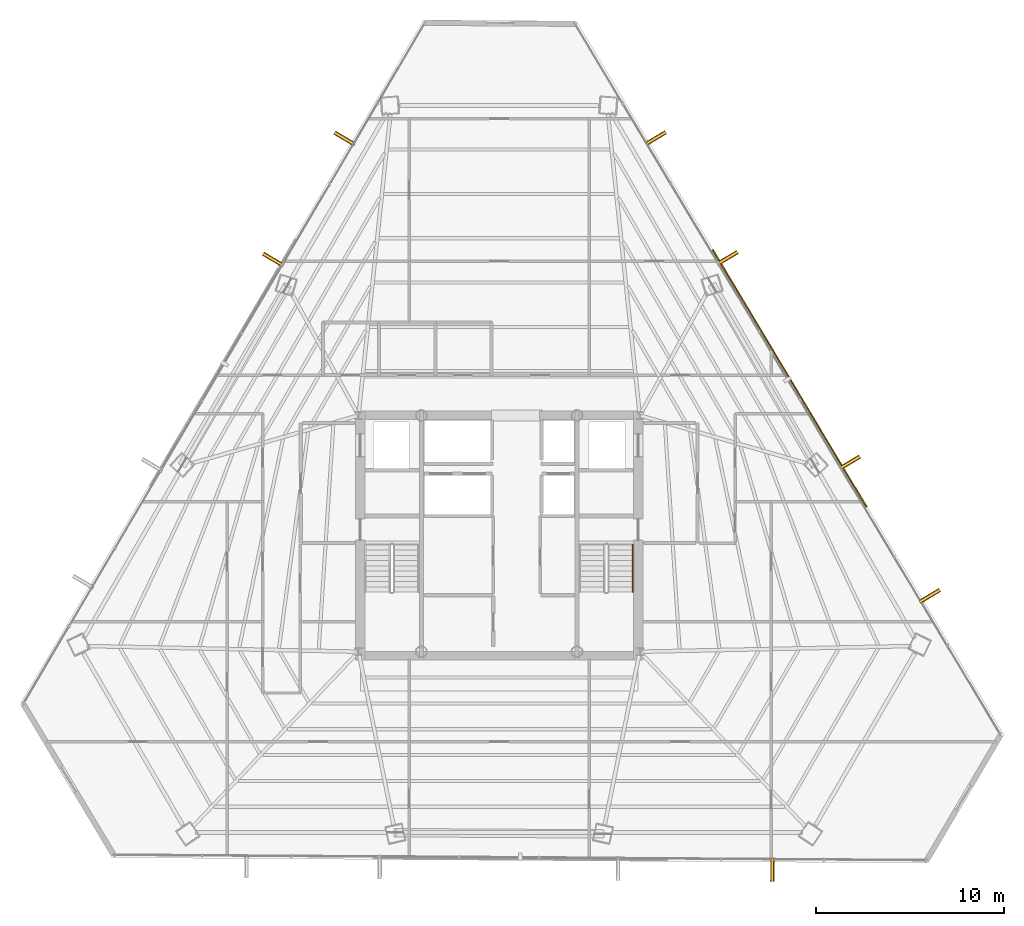
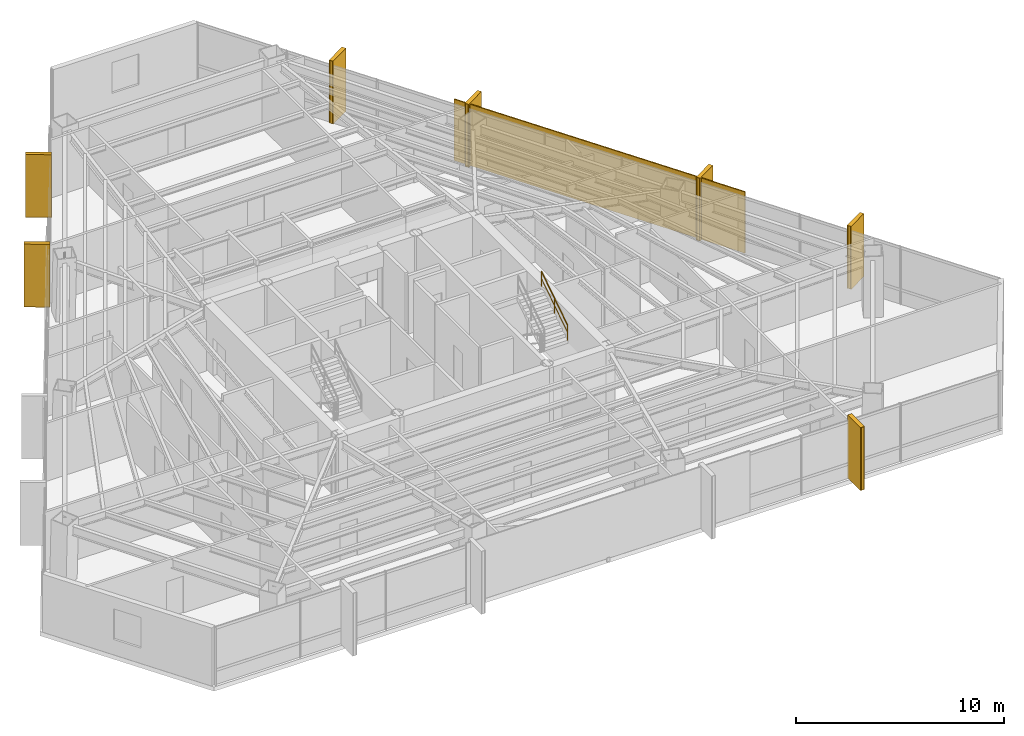
# One storey, part 41 of 41: 8 shading devices, 7 coverings, 1 railing.
"""IFC4 building model written with IfcOpenShell, lengths in metres."""

from ifc_helpers import new_model, si_unit, direction, frame, origin, origin_2d, place, context, subcontext, project, spatial, rectangle, extrude, source, transform, mapped, material, layer, layer_set, type_object, type_shapes, element, save


model = new_model("IFC4")

# Units and contexts
model_context = context("Model", 3, precision=1e-05, world=origin(), true_north=direction((0.0, 1.0)))
body_context = subcontext(model_context, "Body", "Model", "MODEL_VIEW")
ifc_project = project(units=[si_unit("LENGTHUNIT", "METRE"), si_unit("AREAUNIT", "SQUARE_METRE"), si_unit("VOLUMEUNIT", "CUBIC_METRE"), si_unit("PLANEANGLEUNIT", "RADIAN"), si_unit("MASSUNIT", "GRAM", prefix="KILO")], contexts=[model_context])

# Site, building, storey
site_placement = place(None, origin())
site = spatial("IfcSite", under=ifc_project, at=site_placement, CompositionType="ELEMENT")
building_placement = place(site_placement, origin())
building = spatial("IfcBuilding", under=site, at=building_placement, Name="Caelisora Broadcast Tower", CompositionType="ELEMENT")
storey_placement = place(building_placement, frame((0.0, 0.0, 173.10009765625)))
storey = spatial("IfcBuildingStorey", under=building, at=storey_placement, Name="L45", CompositionType="ELEMENT", Elevation=173.10009765625)

# Railing
ifc_material_1 = material(Name="Stainless Steel Grade 316 Tubular Handrail", Category="steel")
ifc_layer_1 = layer(ifc_material_1, 0.048095703125, Name="Stainless Steel Grade 316 Tubular Handrail")
ifc_layer_set_1 = layer_set([ifc_layer_1], Name="Stainless Steel Grade 316 Tubular Handrail")
railing_type = type_object("IfcRailingType", Name="HR-1", PredefinedType="HANDRAIL", material=ifc_layer_set_1)
railing_placement = place(storey_placement, frame((45.1298828125, 20.580078125, 2.00732421875)))
element("IfcRailing", 1, at=railing_placement, inside=storey, type_object=railing_type, Name="L45 ST-2 stair handrail 2", PredefinedType="HANDRAIL", context=body_context, shape_type="SweptSolid", body=[
    extrude(rectangle(XDim=0.048095703125, YDim=0.048095703125, at=origin_2d()), frame((0.0, 0.0, 0.8759765625), z_axis=(0.0, 0.837749427056, 0.546054848405), x_axis=(-1.0, 0.0, 0.0)), (0.0, 0.0, 1.0), 3.008056640625),
    extrude(rectangle(XDim=0.03125, YDim=0.03125, at=origin_2d()), frame((0.0, 0.0, 0.449951171875), z_axis=(0.0, 0.837749427056, 0.546054848405), x_axis=(-1.0, 0.0, 0.0)), (0.0, 0.0, 1.0), 3.008056640625),
    extrude(rectangle(XDim=0.0419921875, YDim=0.0419921875, at=origin_2d()), origin(), (0.0, 0.0, 1.0), 0.851806640625),
    extrude(rectangle(XDim=0.0419921875, YDim=0.0419921875, at=origin_2d()), frame((0.0, 1.260009765625, 0.8212890625)), (0.0, 0.0, 1.0), 0.851806640625),
    extrude(rectangle(XDim=0.0419921875, YDim=0.0419921875, at=origin_2d()), frame((0.0, 2.52001953125, 1.642578125)), (0.0, 0.0, 1.0), 0.851806640625),
])

# Coverings
ifc_material_2 = material(Name="Kiln-Fired Terracotta Spandrel Rainscreen Cladding", Category="ceramic")
ifc_layer_2 = layer(ifc_material_2, 0.044921875, Name="Kiln-Fired Terracotta Spandrel Rainscreen Cladding")
ifc_layer_set_2 = layer_set([ifc_layer_2], Name="Kiln-Fired Terracotta Spandrel Rainscreen Cladding")
covering_type = type_object("IfcCoveringType", Name="CL-1", PredefinedType="CLADDING", material=ifc_layer_set_2)
shared_shape_1 = source(origin(), body_context, "Body", "SweptSolid", [
    extrude(rectangle(XDim=0.219970703125, YDim=1.25, at=origin_2d()), origin(), (0.0, 0.0, 1.0), 3.68994140625),
])
type_shapes(covering_type, [shared_shape_1])
for number, where, z_axis, x_axis, name in (
    (2, (46.3505859375, 44.783203125, -0.02001953125), (0.0, 0.0, 1.0), (0.513691004814, -0.857975262798, 0.0), "L45 vertical solar fin cladding #1-1"),
    (3, (50.17578125, 38.394775390625, -0.02001953125), (0.0, 0.0, 1.0), (0.513691004814, -0.857975262798, 0.0), "L45 vertical solar fin cladding #1-2"),
    (4, (56.705078125, 27.490234375, -0.02001953125), (0.0, 0.0, 1.0), (0.513691004814, -0.857975262798, 0.0), "L45 vertical solar fin cladding #1-3"),
    (5, (60.96630859375, 20.373291015625, -0.02001953125), (0.0, 0.0, 1.0), (0.513691004814, -0.857975262798, 0.0), "L45 vertical solar fin cladding #1-4"),
    (6, (52.56982421875, 5.7724609375, -0.02001953125), (0.0, 0.0, 1.0), (-0.999978006703, 0.006632202536, 0.0), "L45 vertical solar fin cladding #2-1"),
    (7, (25.951171875, 38.30908203125, -0.02001953125), (0.0, 0.0, 1.0), (0.507989441341, 0.861363295878, 0.0), "L45 vertical solar fin cladding #3-3"),
    (8, (29.7587890625, 44.764892578125, -0.02001953125), (0.0, 0.0, 1.0), (0.507989441341, 0.861363295878, 0.0), "L45 vertical solar fin cladding #3-4"),
):
    element("IfcCovering", number, at=place(storey_placement, frame(where, z_axis=z_axis, x_axis=x_axis)), inside=storey, type_object=covering_type, Name=name, PredefinedType="CLADDING", context=body_context, shape_type="MappedRepresentation", body=[
        mapped(shared_shape_1, transform((0.0, 0.0, 0.0), scale=1.0)),
    ])

# Shading devices
ifc_material_3 = material(Name="Extruded Terracotta Flaring Colonnade Fin", Category="ceramic")
ifc_layer_3 = layer(ifc_material_3, 0.139892578125, Name="Extruded Terracotta Flaring Colonnade Fin")
ifc_layer_set_3 = layer_set([ifc_layer_3], Name="Extruded Terracotta Flaring Colonnade Fin")
shading_device_type_1 = type_object("IfcShadingDeviceType", Name="FN-1", PredefinedType="USERDEFINED", material=ifc_layer_set_3)
shared_shape_2 = source(origin(), body_context, "Body", "SweptSolid", [
    extrude(rectangle(XDim=0.139892578125, YDim=1.25, at=origin_2d()), origin(), (0.0, 0.0, 1.0), 3.669921875),
])
type_shapes(shading_device_type_1, [shared_shape_2])
for number, where, z_axis, x_axis, name in (
    (9, (46.3505859375, 44.783203125, -0.010009765625), (0.0, 0.0, 1.0), (0.513691004814, -0.857975262798, 0.0), "L45 vertical terracotta fin #1-1"),
    (10, (50.17578125, 38.394775390625, -0.010009765625), (0.0, 0.0, 1.0), (0.513691004814, -0.857975262798, 0.0), "L45 vertical terracotta fin #1-2"),
    (11, (56.705078125, 27.490234375, -0.010009765625), (0.0, 0.0, 1.0), (0.513691004814, -0.857975262798, 0.0), "L45 vertical terracotta fin #1-3"),
    (12, (60.96630859375, 20.373291015625, -0.010009765625), (0.0, 0.0, 1.0), (0.513691004814, -0.857975262798, 0.0), "L45 vertical terracotta fin #1-4"),
    (13, (52.56982421875, 5.7724609375, -0.010009765625), (0.0, 0.0, 1.0), (-0.999978006703, 0.006632202536, 0.0), "L45 vertical terracotta fin #2-1"),
    (14, (25.951171875, 38.30908203125, -0.010009765625), (0.0, 0.0, 1.0), (0.507989441341, 0.861363295878, 0.0), "L45 vertical terracotta fin #3-3"),
    (15, (29.7587890625, 44.764892578125, -0.010009765625), (0.0, 0.0, 1.0), (0.507989441341, 0.861363295878, 0.0), "L45 vertical terracotta fin #3-4"),
):
    element("IfcShadingDevice", number, at=place(storey_placement, frame(where, z_axis=z_axis, x_axis=x_axis)), inside=storey, type_object=shading_device_type_1, Name=name, ObjectType="FIN", PredefinedType="USERDEFINED", context=body_context, shape_type="MappedRepresentation", body=[
        mapped(shared_shape_2, transform((0.0, 0.0, 0.0), scale=1.0)),
    ])
ifc_material_4 = material(Name="Perforated Glazed Terracotta Baguette Solar Screen", Category="ceramic")
ifc_layer_4 = layer(ifc_material_4, 0.06494140625, Name="Perforated Glazed Terracotta Baguette Solar Screen")
ifc_layer_set_4 = layer_set([ifc_layer_4], Name="Perforated Glazed Terracotta Baguette Solar Screen")
shading_device_type_2 = type_object("IfcShadingDeviceType", Name="SS-1", PredefinedType="USERDEFINED", material=ifc_layer_set_4)
shared_shape_3 = source(origin(), body_context, "Body", "SweptSolid", [
    extrude(rectangle(XDim=15.970947265625, YDim=0.06494140625, at=origin_2d()), origin(), (0.0, 0.0, 1.0), 3.590087890625),
])
type_shapes(shading_device_type_2, [shared_shape_3])
shading_device_placement = place(storey_placement, frame((53.4912109375, 31.98095703125, 0.0), z_axis=(0.0, 0.0, 1.0), x_axis=(-0.513691004814, 0.857975262798, 0.0)))
element("IfcShadingDevice", 16, at=shading_device_placement, inside=storey, type_object=shading_device_type_2, Name="L45 perforated terracotta solar screen #3", ObjectType="SOLAR SCREEN", PredefinedType="USERDEFINED", context=body_context, shape_type="MappedRepresentation", body=[
    mapped(shared_shape_3, transform((0.0, 0.0, 0.0), scale=1.0)),
])

save(model, "model.ifc")
